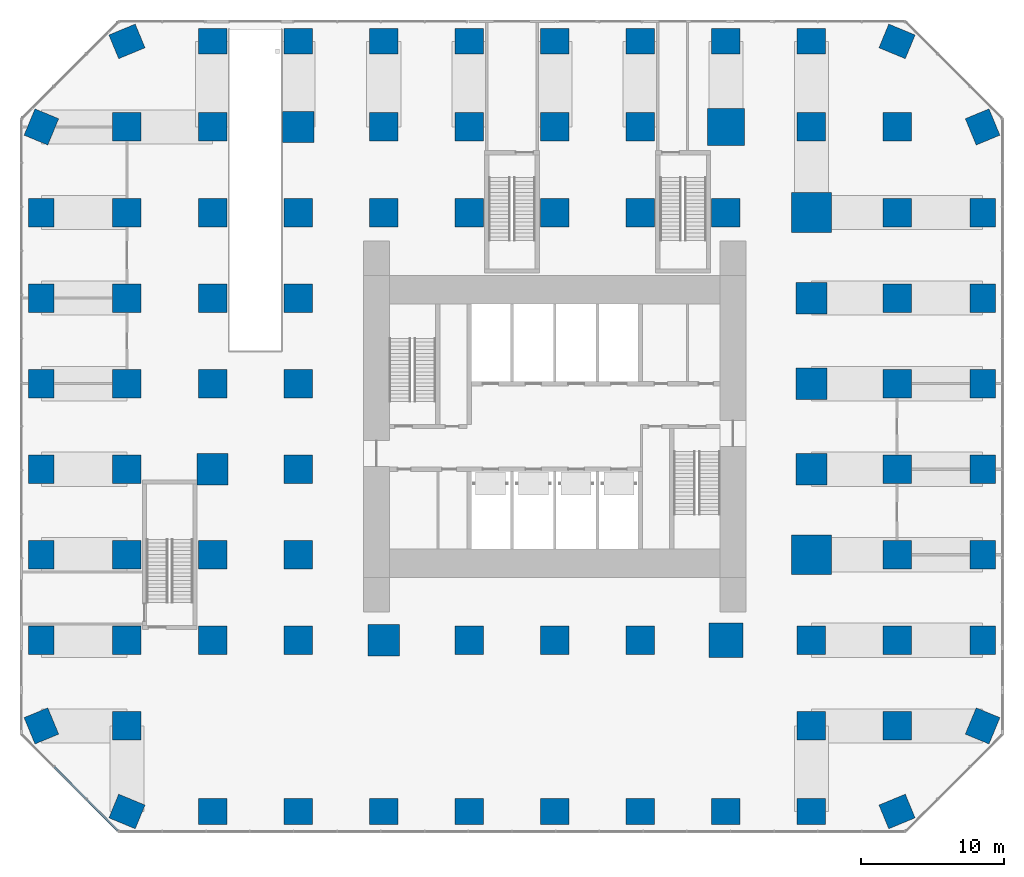
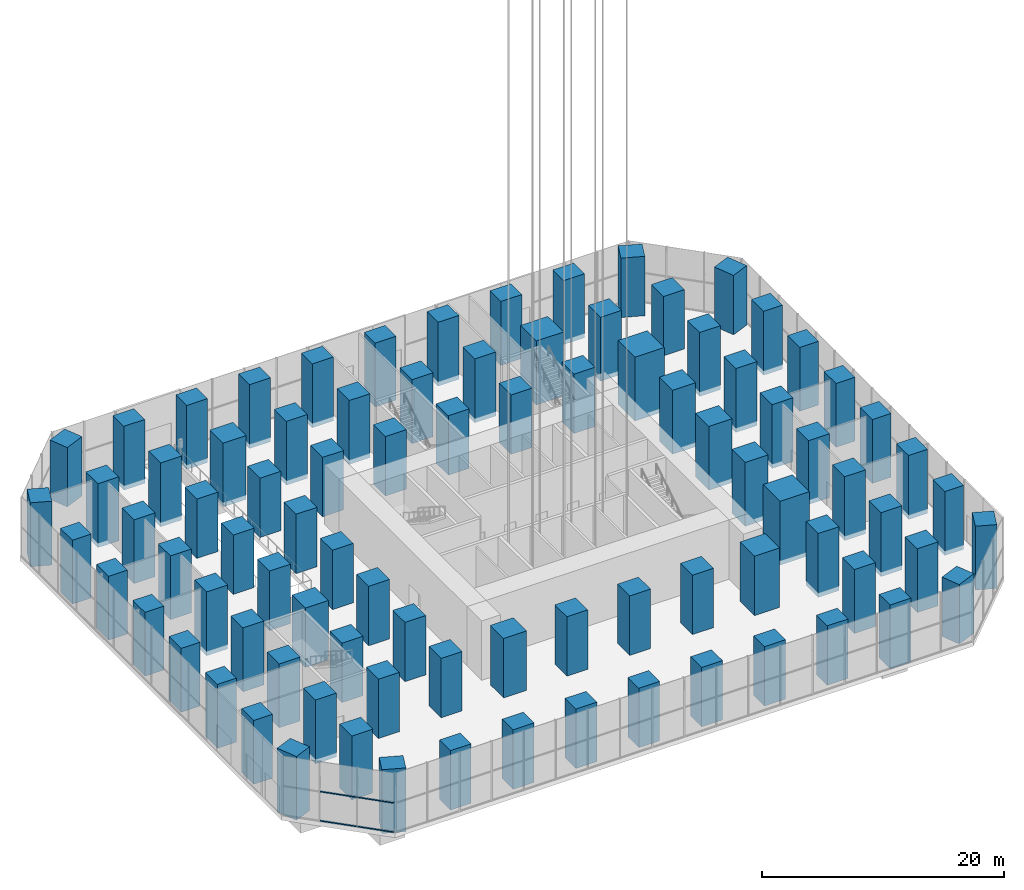
# One storey, part 1 of 21: 89 columns, 4 members, 1 element without a shape of its own.
"""IFC4 building model written with IfcOpenShell, lengths in metres."""

from ifc_helpers import new_model, si_unit, direction, frame, origin, origin_2d, place, context, subcontext, project, spatial, rectangle, extrude, material, layer, layer_set, material_profile, profile_set, type_object, element, aggregate, save


model = new_model("IFC4")

# Units and contexts
model_context = context("Model", 3, precision=1e-05, world=origin(), true_north=direction((0.0, 1.0)))
body_context = subcontext(model_context, "Body", "Model", "MODEL_VIEW")
ifc_project = project(units=[si_unit("LENGTHUNIT", "METRE"), si_unit("AREAUNIT", "SQUARE_METRE"), si_unit("VOLUMEUNIT", "CUBIC_METRE"), si_unit("PLANEANGLEUNIT", "RADIAN"), si_unit("MASSUNIT", "GRAM", prefix="KILO")], contexts=[model_context])

# Site, building, storey
site_placement = place(None, origin())
site = spatial("IfcSite", under=ifc_project, at=site_placement, CompositionType="ELEMENT")
building_placement = place(site_placement, origin())
building = spatial("IfcBuilding", under=site, at=building_placement, Name="Highveld Stack Headquarters", CompositionType="ELEMENT")
storey_placement = place(building_placement, origin())
storey = spatial("IfcBuildingStorey", under=building, at=storey_placement, Name="L00", CompositionType="ELEMENT", Elevation=0.0)

# Columns
ifc_material_1 = material(Name="Concrete C60/75", Category="concrete")
ifc_material_profile_1 = material_profile(ifc_material_1, rectangle(XDim=2.0, YDim=1.800048828125, at=origin_2d()), Name="RC 2000x1800")
ifc_profile_set_1 = profile_set([ifc_material_profile_1], Name="Concrete C60/75")
column_type_1 = type_object("IfcColumnType", Name="COLUMN RC 2000x1800 C60/75", PredefinedType="COLUMN", material=ifc_profile_set_1)
for number, where, z_axis, x_axis, name in (
    (1, (-30.0, -18.0, -0.449951171875), (0.0, 0.0, 1.0), (-0.382683432365, 0.923879532511, 0.0), "Column 1/B L00"),
    (2, (-30.0, -12.0, -0.449951171875), (0.0, 0.0, 1.0), (0.0, 1.0, 0.0), "Column 1/C L00"),
    (3, (-30.0, -6.0, -0.449951171875), (0.0, 0.0, 1.0), (0.0, 1.0, 0.0), "Column 1/D L00"),
    (4, (-30.0, 0.0, -0.449951171875), (0.0, 0.0, 1.0), (0.0, 1.0, 0.0), "Column 1/E L00"),
    (5, (-30.0, 6.0, -0.449951171875), (0.0, 0.0, 1.0), (0.0, 1.0, 0.0), "Column 1/F L00"),
    (6, (-30.0, 12.0, -0.449951171875), (0.0, 0.0, 1.0), (0.0, 1.0, 0.0), "Column 1/G L00"),
    (7, (-30.0, 18.0, -0.449951171875), (0.0, 0.0, 1.0), (0.0, 1.0, 0.0), "Column 1/H L00"),
    (8, (-30.0, 24.0, -0.449951171875), (0.0, 0.0, 1.0), (0.382683432365, 0.923879532511, 0.0), "Column 1/J L00"),
    (9, (-24.0, -24.0, -0.449951171875), (0.0, 0.0, 1.0), (-0.923879532511, 0.382683432365, 0.0), "Column 2/A L00"),
):
    element("IfcColumn", number, at=place(storey_placement, frame(where, z_axis=z_axis, x_axis=x_axis)), inside=storey, type_object=column_type_1, Name=name, PredefinedType="COLUMN", context=body_context, shape_type="SweptSolid", body=[
        extrude(rectangle(XDim=2.0, YDim=1.800048828125, at=origin_2d()), origin(), (0.0, 0.0, 1.0), 6.449951171875),
    ])
for number, where, z_axis, x_axis, name in (
    (10, (-24.0, 30.0, 0.0), (0.0, 0.0, 1.0), (0.923879532511, 0.382683432365, 0.0), "Column 2/K L00"),
    (11, (-18.0, -24.0, 0.0), (0.0, 0.0, 1.0), (1.0, 0.0, 0.0), "Column 3/A L00"),
):
    element("IfcColumn", number, at=place(storey_placement, frame(where, z_axis=z_axis, x_axis=x_axis)), inside=storey, type_object=column_type_1, Name=name, PredefinedType="COLUMN", context=body_context, shape_type="SweptSolid", body=[
        extrude(rectangle(XDim=2.0, YDim=1.800048828125, at=origin_2d()), origin(), (0.0, 0.0, 1.0), 6.0),
    ])
column_1_placement = place(storey_placement, frame((-18.0, 30.0, -0.449951171875), z_axis=(0.0, 0.0, 1.0), x_axis=(1.0, 0.0, 0.0)))
element("IfcColumn", 12, at=column_1_placement, inside=storey, type_object=column_type_1, Name="Column 3/K L00", PredefinedType="COLUMN", context=body_context, shape_type="SweptSolid", body=[
    extrude(rectangle(XDim=2.0, YDim=1.800048828125, at=origin_2d()), origin(), (0.0, 0.0, 1.0), 6.449951171875),
])
column_2_placement = place(storey_placement, frame((-12.0, -24.0, 0.0), z_axis=(0.0, 0.0, 1.0), x_axis=(1.0, 0.0, 0.0)))
element("IfcColumn", 13, at=column_2_placement, inside=storey, type_object=column_type_1, Name="Column 4/A L00", PredefinedType="COLUMN", context=body_context, shape_type="SweptSolid", body=[
    extrude(rectangle(XDim=2.0, YDim=1.800048828125, at=origin_2d()), origin(), (0.0, 0.0, 1.0), 6.0),
])
column_3_placement = place(storey_placement, frame((-12.0, 30.0, -0.449951171875), z_axis=(0.0, 0.0, 1.0), x_axis=(1.0, 0.0, 0.0)))
element("IfcColumn", 14, at=column_3_placement, inside=storey, type_object=column_type_1, Name="Column 4/K L00", PredefinedType="COLUMN", context=body_context, shape_type="SweptSolid", body=[
    extrude(rectangle(XDim=2.0, YDim=1.800048828125, at=origin_2d()), origin(), (0.0, 0.0, 1.0), 6.449951171875),
])
column_4_placement = place(storey_placement, frame((-6.0, -24.0, 0.0), z_axis=(0.0, 0.0, 1.0), x_axis=(1.0, 0.0, 0.0)))
element("IfcColumn", 15, at=column_4_placement, inside=storey, type_object=column_type_1, Name="Column 5/A L00", PredefinedType="COLUMN", context=body_context, shape_type="SweptSolid", body=[
    extrude(rectangle(XDim=2.0, YDim=1.800048828125, at=origin_2d()), origin(), (0.0, 0.0, 1.0), 6.0),
])
column_5_placement = place(storey_placement, frame((-6.0, 30.0, -0.449951171875), z_axis=(0.0, 0.0, 1.0), x_axis=(1.0, 0.0, 0.0)))
element("IfcColumn", 16, at=column_5_placement, inside=storey, type_object=column_type_1, Name="Column 5/K L00", PredefinedType="COLUMN", context=body_context, shape_type="SweptSolid", body=[
    extrude(rectangle(XDim=2.0, YDim=1.800048828125, at=origin_2d()), origin(), (0.0, 0.0, 1.0), 6.449951171875),
])
column_6_placement = place(storey_placement, frame((0.0, -24.0, 0.0), z_axis=(0.0, 0.0, 1.0), x_axis=(1.0, 0.0, 0.0)))
element("IfcColumn", 17, at=column_6_placement, inside=storey, type_object=column_type_1, Name="Column 6/A L00", PredefinedType="COLUMN", context=body_context, shape_type="SweptSolid", body=[
    extrude(rectangle(XDim=2.0, YDim=1.800048828125, at=origin_2d()), origin(), (0.0, 0.0, 1.0), 6.0),
])
column_7_placement = place(storey_placement, frame((0.0, 30.0, -0.449951171875), z_axis=(0.0, 0.0, 1.0), x_axis=(1.0, 0.0, 0.0)))
element("IfcColumn", 18, at=column_7_placement, inside=storey, type_object=column_type_1, Name="Column 6/K L00", PredefinedType="COLUMN", context=body_context, shape_type="SweptSolid", body=[
    extrude(rectangle(XDim=2.0, YDim=1.800048828125, at=origin_2d()), origin(), (0.0, 0.0, 1.0), 6.449951171875),
])
column_8_placement = place(storey_placement, frame((6.0, -24.0, 0.0), z_axis=(0.0, 0.0, 1.0), x_axis=(1.0, 0.0, 0.0)))
element("IfcColumn", 19, at=column_8_placement, inside=storey, type_object=column_type_1, Name="Column 7/A L00", PredefinedType="COLUMN", context=body_context, shape_type="SweptSolid", body=[
    extrude(rectangle(XDim=2.0, YDim=1.800048828125, at=origin_2d()), origin(), (0.0, 0.0, 1.0), 6.0),
])
column_9_placement = place(storey_placement, frame((6.0, 30.0, -0.449951171875), z_axis=(0.0, 0.0, 1.0), x_axis=(1.0, 0.0, 0.0)))
element("IfcColumn", 20, at=column_9_placement, inside=storey, type_object=column_type_1, Name="Column 7/K L00", PredefinedType="COLUMN", context=body_context, shape_type="SweptSolid", body=[
    extrude(rectangle(XDim=2.0, YDim=1.800048828125, at=origin_2d()), origin(), (0.0, 0.0, 1.0), 6.449951171875),
])
column_10_placement = place(storey_placement, frame((12.0, -24.0, 0.0), z_axis=(0.0, 0.0, 1.0), x_axis=(1.0, 0.0, 0.0)))
element("IfcColumn", 21, at=column_10_placement, inside=storey, type_object=column_type_1, Name="Column 8/A L00", PredefinedType="COLUMN", context=body_context, shape_type="SweptSolid", body=[
    extrude(rectangle(XDim=2.0, YDim=1.800048828125, at=origin_2d()), origin(), (0.0, 0.0, 1.0), 6.0),
])
column_11_placement = place(storey_placement, frame((12.0, 30.0, -0.449951171875), z_axis=(0.0, 0.0, 1.0), x_axis=(1.0, 0.0, 0.0)))
element("IfcColumn", 22, at=column_11_placement, inside=storey, type_object=column_type_1, Name="Column 8/K L00", PredefinedType="COLUMN", context=body_context, shape_type="SweptSolid", body=[
    extrude(rectangle(XDim=2.0, YDim=1.800048828125, at=origin_2d()), origin(), (0.0, 0.0, 1.0), 6.449951171875),
])
column_12_placement = place(storey_placement, frame((18.0, -24.0, 0.0), z_axis=(0.0, 0.0, 1.0), x_axis=(1.0, 0.0, 0.0)))
element("IfcColumn", 23, at=column_12_placement, inside=storey, type_object=column_type_1, Name="Column 9/A L00", PredefinedType="COLUMN", context=body_context, shape_type="SweptSolid", body=[
    extrude(rectangle(XDim=2.0, YDim=1.800048828125, at=origin_2d()), origin(), (0.0, 0.0, 1.0), 6.0),
])
for number, where, z_axis, x_axis, name in (
    (24, (18.0, 30.0, -0.449951171875), (0.0, 0.0, 1.0), (1.0, 0.0, 0.0), "Column 9/K L00"),
    (25, (24.0, -24.0, -0.449951171875), (0.0, 0.0, 1.0), (1.0, 0.0, 0.0), "Column 10/A L00"),
    (26, (24.0, 30.0, -0.449951171875), (0.0, 0.0, 1.0), (1.0, 0.0, 0.0), "Column 10/K L00"),
):
    element("IfcColumn", number, at=place(storey_placement, frame(where, z_axis=z_axis, x_axis=x_axis)), inside=storey, type_object=column_type_1, Name=name, PredefinedType="COLUMN", context=body_context, shape_type="SweptSolid", body=[
        extrude(rectangle(XDim=2.0, YDim=1.800048828125, at=origin_2d()), origin(), (0.0, 0.0, 1.0), 6.449951171875),
    ])
for number, where, z_axis, x_axis, name in (
    (27, (30.0, -24.0, 0.0), (0.0, 0.0, 1.0), (-0.923879532511, -0.382683432365, 0.0), "Column 11/A L00"),
    (28, (30.0, 30.0, 0.0), (0.0, 0.0, 1.0), (0.923879532511, -0.382683432365, 0.0), "Column 11/K L00"),
):
    element("IfcColumn", number, at=place(storey_placement, frame(where, z_axis=z_axis, x_axis=x_axis)), inside=storey, type_object=column_type_1, Name=name, PredefinedType="COLUMN", context=body_context, shape_type="SweptSolid", body=[
        extrude(rectangle(XDim=2.0, YDim=1.800048828125, at=origin_2d()), origin(), (0.0, 0.0, 1.0), 6.0),
    ])
for number, where, z_axis, x_axis, name in (
    (29, (36.0, -18.0, -0.449951171875), (0.0, 0.0, 1.0), (-0.382683432365, -0.923879532511, 0.0), "Column 12/B L00"),
    (30, (36.0, -12.0, -0.449951171875), (0.0, 0.0, 1.0), (0.0, 1.0, 0.0), "Column 12/C L00"),
    (31, (36.0, -6.0, -0.449951171875), (0.0, 0.0, 1.0), (0.0, 1.0, 0.0), "Column 12/D L00"),
    (32, (36.0, 0.0, -0.449951171875), (0.0, 0.0, 1.0), (0.0, 1.0, 0.0), "Column 12/E L00"),
    (33, (36.0, 6.0, -0.449951171875), (0.0, 0.0, 1.0), (0.0, 1.0, 0.0), "Column 12/F L00"),
    (34, (36.0, 12.0, -0.449951171875), (0.0, 0.0, 1.0), (0.0, 1.0, 0.0), "Column 12/G L00"),
    (35, (36.0, 18.0, -0.449951171875), (0.0, 0.0, 1.0), (0.0, 1.0, 0.0), "Column 12/H L00"),
):
    element("IfcColumn", number, at=place(storey_placement, frame(where, z_axis=z_axis, x_axis=x_axis)), inside=storey, type_object=column_type_1, Name=name, PredefinedType="COLUMN", context=body_context, shape_type="SweptSolid", body=[
        extrude(rectangle(XDim=2.0, YDim=1.800048828125, at=origin_2d()), origin(), (0.0, 0.0, 1.0), 6.449951171875),
    ])
column_13_placement = place(storey_placement, frame((36.0, 24.0, 0.0), z_axis=(0.0, 0.0, 1.0), x_axis=(0.382683432365, -0.923879532511, 0.0)))
element("IfcColumn", 36, at=column_13_placement, inside=storey, type_object=column_type_1, Name="Column 12/J L00", PredefinedType="COLUMN", context=body_context, shape_type="SweptSolid", body=[
    extrude(rectangle(XDim=2.0, YDim=1.800048828125, at=origin_2d()), origin(), (0.0, 0.0, 1.0), 6.0),
])
ifc_material_2 = material(Name="Concrete C60/75", Category="concrete")
ifc_material_profile_2 = material_profile(ifc_material_2, rectangle(XDim=2.0, YDim=2.0, at=origin_2d()), Name="RC 2000x2000")
ifc_profile_set_2 = profile_set([ifc_material_profile_2], Name="Concrete C60/75")
column_type_2 = type_object("IfcColumnType", Name="COLUMN RC 2000x2000 C60/75", PredefinedType="COLUMN", material=ifc_profile_set_2)
for number, where, z_axis, x_axis, name in (
    (37, (-24.0, -18.0, -0.449951171875), (0.0, 0.0, 1.0), (1.0, 0.0, 0.0), "Column 2/B L00"),
    (38, (-24.0, -12.0, -0.449951171875), (0.0, 0.0, 1.0), (1.0, 0.0, 0.0), "Column 2/C L00"),
    (39, (-24.0, -6.0, -0.449951171875), (0.0, 0.0, 1.0), (1.0, 0.0, 0.0), "Column 2/D L00"),
    (40, (-24.0, 0.0, -0.449951171875), (0.0, 0.0, 1.0), (1.0, 0.0, 0.0), "Column 2/E L00"),
    (41, (-24.0, 6.0, -0.449951171875), (0.0, 0.0, 1.0), (1.0, 0.0, 0.0), "Column 2/F L00"),
    (42, (-24.0, 12.0, -0.449951171875), (0.0, 0.0, 1.0), (1.0, 0.0, 0.0), "Column 2/G L00"),
    (43, (-24.0, 18.0, -0.449951171875), (0.0, 0.0, 1.0), (1.0, 0.0, 0.0), "Column 2/H L00"),
    (44, (-24.0, 24.0, -0.449951171875), (0.0, 0.0, 1.0), (1.0, 0.0, 0.0), "Column 2/J L00"),
):
    element("IfcColumn", number, at=place(storey_placement, frame(where, z_axis=z_axis, x_axis=x_axis)), inside=storey, type_object=column_type_2, Name=name, PredefinedType="COLUMN", context=body_context, shape_type="SweptSolid", body=[
        extrude(rectangle(XDim=2.0, YDim=2.0, at=origin_2d()), origin(), (0.0, 0.0, 1.0), 6.449951171875),
    ])
for number, where, z_axis, x_axis, name in (
    (45, (-18.0, -12.0, 0.0), (0.0, 0.0, 1.0), (1.0, 0.0, 0.0), "Column 3/C L00"),
    (46, (-18.0, -6.0, 0.0), (0.0, 0.0, 1.0), (1.0, 0.0, 0.0), "Column 3/D L00"),
    (47, (-18.0, 6.0, 0.0), (0.0, 0.0, 1.0), (1.0, 0.0, 0.0), "Column 3/F L00"),
    (48, (-18.0, 12.0, 0.0), (0.0, 0.0, 1.0), (1.0, 0.0, 0.0), "Column 3/G L00"),
    (49, (-18.0, 18.0, 0.0), (0.0, 0.0, 1.0), (1.0, 0.0, 0.0), "Column 3/H L00"),
):
    element("IfcColumn", number, at=place(storey_placement, frame(where, z_axis=z_axis, x_axis=x_axis)), inside=storey, type_object=column_type_2, Name=name, PredefinedType="COLUMN", context=body_context, shape_type="SweptSolid", body=[
        extrude(rectangle(XDim=2.0, YDim=2.0, at=origin_2d()), origin(), (0.0, 0.0, 1.0), 6.0),
    ])
column_14_placement = place(storey_placement, frame((-18.0, 24.0, -0.449951171875), z_axis=(0.0, 0.0, 1.0), x_axis=(1.0, 0.0, 0.0)))
element("IfcColumn", 50, at=column_14_placement, inside=storey, type_object=column_type_2, Name="Column 3/J L00", PredefinedType="COLUMN", context=body_context, shape_type="SweptSolid", body=[
    extrude(rectangle(XDim=2.0, YDim=2.0, at=origin_2d()), origin(), (0.0, 0.0, 1.0), 6.449951171875),
])
for number, where, z_axis, x_axis, name in (
    (51, (-12.0, -12.0, 0.0), (0.0, 0.0, 1.0), (1.0, 0.0, 0.0), "Column 4/C L00"),
    (52, (-12.0, -6.0, 0.0), (0.0, 0.0, 1.0), (1.0, 0.0, 0.0), "Column 4/D L00"),
    (53, (-12.0, 0.0, 0.0), (0.0, 0.0, 1.0), (1.0, 0.0, 0.0), "Column 4/E L00"),
    (54, (-12.0, 6.0, 0.0), (0.0, 0.0, 1.0), (1.0, 0.0, 0.0), "Column 4/F L00"),
    (55, (-12.0, 12.0, 0.0), (0.0, 0.0, 1.0), (1.0, 0.0, 0.0), "Column 4/G L00"),
    (56, (-12.0, 18.0, 0.0), (0.0, 0.0, 1.0), (1.0, 0.0, 0.0), "Column 4/H L00"),
    (57, (-6.0, 18.0, 0.0), (0.0, 0.0, 1.0), (1.0, 0.0, 0.0), "Column 5/H L00"),
):
    element("IfcColumn", number, at=place(storey_placement, frame(where, z_axis=z_axis, x_axis=x_axis)), inside=storey, type_object=column_type_2, Name=name, PredefinedType="COLUMN", context=body_context, shape_type="SweptSolid", body=[
        extrude(rectangle(XDim=2.0, YDim=2.0, at=origin_2d()), origin(), (0.0, 0.0, 1.0), 6.0),
    ])
column_15_placement = place(storey_placement, frame((-6.0, 24.0, -0.449951171875), z_axis=(0.0, 0.0, 1.0), x_axis=(1.0, 0.0, 0.0)))
element("IfcColumn", 58, at=column_15_placement, inside=storey, type_object=column_type_2, Name="Column 5/J L00", PredefinedType="COLUMN", context=body_context, shape_type="SweptSolid", body=[
    extrude(rectangle(XDim=2.0, YDim=2.0, at=origin_2d()), origin(), (0.0, 0.0, 1.0), 6.449951171875),
])
for number, where, z_axis, x_axis, name in (
    (59, (0.0, -12.0, 0.0), (0.0, 0.0, 1.0), (1.0, 0.0, 0.0), "Column 6/C L00"),
    (60, (0.0, 18.0, 0.0), (0.0, 0.0, 1.0), (1.0, 0.0, 0.0), "Column 6/H L00"),
):
    element("IfcColumn", number, at=place(storey_placement, frame(where, z_axis=z_axis, x_axis=x_axis)), inside=storey, type_object=column_type_2, Name=name, PredefinedType="COLUMN", context=body_context, shape_type="SweptSolid", body=[
        extrude(rectangle(XDim=2.0, YDim=2.0, at=origin_2d()), origin(), (0.0, 0.0, 1.0), 6.0),
    ])
column_16_placement = place(storey_placement, frame((0.0, 24.0, -0.449951171875), z_axis=(0.0, 0.0, 1.0), x_axis=(1.0, 0.0, 0.0)))
element("IfcColumn", 61, at=column_16_placement, inside=storey, type_object=column_type_2, Name="Column 6/J L00", PredefinedType="COLUMN", context=body_context, shape_type="SweptSolid", body=[
    extrude(rectangle(XDim=2.0, YDim=2.0, at=origin_2d()), origin(), (0.0, 0.0, 1.0), 6.449951171875),
])
for number, where, z_axis, x_axis, name in (
    (62, (6.0, -12.0, 0.0), (0.0, 0.0, 1.0), (1.0, 0.0, 0.0), "Column 7/C L00"),
    (63, (6.0, 18.0, 0.0), (0.0, 0.0, 1.0), (1.0, 0.0, 0.0), "Column 7/H L00"),
):
    element("IfcColumn", number, at=place(storey_placement, frame(where, z_axis=z_axis, x_axis=x_axis)), inside=storey, type_object=column_type_2, Name=name, PredefinedType="COLUMN", context=body_context, shape_type="SweptSolid", body=[
        extrude(rectangle(XDim=2.0, YDim=2.0, at=origin_2d()), origin(), (0.0, 0.0, 1.0), 6.0),
    ])
column_17_placement = place(storey_placement, frame((6.0, 24.0, -0.449951171875), z_axis=(0.0, 0.0, 1.0), x_axis=(1.0, 0.0, 0.0)))
element("IfcColumn", 64, at=column_17_placement, inside=storey, type_object=column_type_2, Name="Column 7/J L00", PredefinedType="COLUMN", context=body_context, shape_type="SweptSolid", body=[
    extrude(rectangle(XDim=2.0, YDim=2.0, at=origin_2d()), origin(), (0.0, 0.0, 1.0), 6.449951171875),
])
for number, where, z_axis, x_axis, name in (
    (65, (12.0, -12.0, 0.0), (0.0, 0.0, 1.0), (1.0, 0.0, 0.0), "Column 8/C L00"),
    (66, (12.0, 18.0, 0.0), (0.0, 0.0, 1.0), (1.0, 0.0, 0.0), "Column 8/H L00"),
):
    element("IfcColumn", number, at=place(storey_placement, frame(where, z_axis=z_axis, x_axis=x_axis)), inside=storey, type_object=column_type_2, Name=name, PredefinedType="COLUMN", context=body_context, shape_type="SweptSolid", body=[
        extrude(rectangle(XDim=2.0, YDim=2.0, at=origin_2d()), origin(), (0.0, 0.0, 1.0), 6.0),
    ])
column_18_placement = place(storey_placement, frame((12.0, 24.0, -0.449951171875), z_axis=(0.0, 0.0, 1.0), x_axis=(1.0, 0.0, 0.0)))
element("IfcColumn", 67, at=column_18_placement, inside=storey, type_object=column_type_2, Name="Column 8/J L00", PredefinedType="COLUMN", context=body_context, shape_type="SweptSolid", body=[
    extrude(rectangle(XDim=2.0, YDim=2.0, at=origin_2d()), origin(), (0.0, 0.0, 1.0), 6.449951171875),
])
column_19_placement = place(storey_placement, frame((18.0, 18.0, 0.0), z_axis=(0.0, 0.0, 1.0), x_axis=(1.0, 0.0, 0.0)))
element("IfcColumn", 68, at=column_19_placement, inside=storey, type_object=column_type_2, Name="Column 9/H L00", PredefinedType="COLUMN", context=body_context, shape_type="SweptSolid", body=[
    extrude(rectangle(XDim=2.0, YDim=2.0, at=origin_2d()), origin(), (0.0, 0.0, 1.0), 6.0),
])
for number, where, z_axis, x_axis, name in (
    (69, (24.0, -18.0, -0.449951171875), (0.0, 0.0, 1.0), (1.0, 0.0, 0.0), "Column 10/B L00"),
    (70, (24.0, -12.0, -0.449951171875), (0.0, 0.0, 1.0), (1.0, 0.0, 0.0), "Column 10/C L00"),
    (71, (24.0, 24.0, -0.449951171875), (0.0, 0.0, 1.0), (1.0, 0.0, 0.0), "Column 10/J L00"),
    (72, (30.0, -18.0, -0.449951171875), (0.0, 0.0, 1.0), (1.0, 0.0, 0.0), "Column 11/B L00"),
    (73, (30.0, -12.0, -0.449951171875), (0.0, 0.0, 1.0), (1.0, 0.0, 0.0), "Column 11/C L00"),
    (74, (30.0, -6.0, -0.449951171875), (0.0, 0.0, 1.0), (1.0, 0.0, 0.0), "Column 11/D L00"),
    (75, (30.0, 0.0, -0.449951171875), (0.0, 0.0, 1.0), (1.0, 0.0, 0.0), "Column 11/E L00"),
    (76, (30.0, 6.0, -0.449951171875), (0.0, 0.0, 1.0), (1.0, 0.0, 0.0), "Column 11/F L00"),
    (77, (30.0, 12.0, -0.449951171875), (0.0, 0.0, 1.0), (1.0, 0.0, 0.0), "Column 11/G L00"),
    (78, (30.0, 18.0, -0.449951171875), (0.0, 0.0, 1.0), (1.0, 0.0, 0.0), "Column 11/H L00"),
):
    element("IfcColumn", number, at=place(storey_placement, frame(where, z_axis=z_axis, x_axis=x_axis)), inside=storey, type_object=column_type_2, Name=name, PredefinedType="COLUMN", context=body_context, shape_type="SweptSolid", body=[
        extrude(rectangle(XDim=2.0, YDim=2.0, at=origin_2d()), origin(), (0.0, 0.0, 1.0), 6.449951171875),
    ])
column_20_placement = place(storey_placement, frame((30.0, 24.0, 0.0), z_axis=(0.0, 0.0, 1.0), x_axis=(1.0, 0.0, 0.0)))
element("IfcColumn", 79, at=column_20_placement, inside=storey, type_object=column_type_2, Name="Column 11/J L00", PredefinedType="COLUMN", context=body_context, shape_type="SweptSolid", body=[
    extrude(rectangle(XDim=2.0, YDim=2.0, at=origin_2d()), origin(), (0.0, 0.0, 1.0), 6.0),
])
ifc_material_3 = material(Name="Concrete C60/75", Category="concrete")
ifc_material_profile_3 = material_profile(ifc_material_3, rectangle(XDim=2.199951171875, YDim=2.199951171875, at=origin_2d()), Name="RC 2200x2200")
ifc_profile_set_3 = profile_set([ifc_material_profile_3], Name="Concrete C60/75")
column_type_3 = type_object("IfcColumnType", Name="COLUMN RC 2200x2200 C60/75", PredefinedType="COLUMN", material=ifc_profile_set_3)
column_21_placement = place(storey_placement, frame((-18.0, 0.0, 0.0), z_axis=(0.0, 0.0, 1.0), x_axis=(1.0, 0.0, 0.0)))
element("IfcColumn", 80, at=column_21_placement, inside=storey, type_object=column_type_3, Name="Column 3/E L00", PredefinedType="COLUMN", context=body_context, shape_type="SweptSolid", body=[
    extrude(rectangle(XDim=2.199951171875, YDim=2.199951171875, at=origin_2d()), origin(), (0.0, 0.0, 1.0), 6.0),
])
column_22_placement = place(storey_placement, frame((-12.0, 24.0, -0.449951171875), z_axis=(0.0, 0.0, 1.0), x_axis=(1.0, 0.0, 0.0)))
element("IfcColumn", 81, at=column_22_placement, inside=storey, type_object=column_type_3, Name="Column 4/J L00", PredefinedType="COLUMN", context=body_context, shape_type="SweptSolid", body=[
    extrude(rectangle(XDim=2.199951171875, YDim=2.199951171875, at=origin_2d()), origin(), (0.0, 0.0, 1.0), 6.449951171875),
])
column_23_placement = place(storey_placement, frame((-6.0, -12.0, 0.0), z_axis=(0.0, 0.0, 1.0), x_axis=(1.0, 0.0, 0.0)))
element("IfcColumn", 82, at=column_23_placement, inside=storey, type_object=column_type_3, Name="Column 5/C L00", PredefinedType="COLUMN", context=body_context, shape_type="SweptSolid", body=[
    extrude(rectangle(XDim=2.199951171875, YDim=2.199951171875, at=origin_2d()), origin(), (0.0, 0.0, 1.0), 6.0),
])
for number, where, z_axis, x_axis, name in (
    (83, (24.0, 0.0, -0.449951171875), (0.0, 0.0, 1.0), (1.0, 0.0, 0.0), "Column 10/E L00"),
    (84, (24.0, 6.0, -0.449951171875), (0.0, 0.0, 1.0), (1.0, 0.0, 0.0), "Column 10/F L00"),
    (85, (24.0, 12.0, -0.449951171875), (0.0, 0.0, 1.0), (1.0, 0.0, 0.0), "Column 10/G L00"),
):
    element("IfcColumn", number, at=place(storey_placement, frame(where, z_axis=z_axis, x_axis=x_axis)), inside=storey, type_object=column_type_3, Name=name, PredefinedType="COLUMN", context=body_context, shape_type="SweptSolid", body=[
        extrude(rectangle(XDim=2.199951171875, YDim=2.199951171875, at=origin_2d()), origin(), (0.0, 0.0, 1.0), 6.449951171875),
    ])
ifc_material_4 = material(Name="Concrete C60/75", Category="concrete")
ifc_material_profile_4 = material_profile(ifc_material_4, rectangle(XDim=2.39990234375, YDim=2.39990234375, at=origin_2d()), Name="RC 2400x2400")
ifc_profile_set_4 = profile_set([ifc_material_profile_4], Name="Concrete C60/75")
column_type_4 = type_object("IfcColumnType", Name="COLUMN RC 2400x2400 C60/75", PredefinedType="COLUMN", material=ifc_profile_set_4)
column_24_placement = place(storey_placement, frame((18.0, -12.0, 0.0), z_axis=(0.0, 0.0, 1.0), x_axis=(1.0, 0.0, 0.0)))
element("IfcColumn", 86, at=column_24_placement, inside=storey, type_object=column_type_4, Name="Column 9/C L00", PredefinedType="COLUMN", context=body_context, shape_type="SweptSolid", body=[
    extrude(rectangle(XDim=2.39990234375, YDim=2.39990234375, at=origin_2d()), origin(), (0.0, 0.0, 1.0), 6.0),
])
ifc_material_5 = material(Name="Concrete C60/75", Category="concrete")
ifc_material_profile_5 = material_profile(ifc_material_5, rectangle(XDim=2.60009765625, YDim=2.60009765625, at=origin_2d()), Name="RC 2600x2600")
ifc_profile_set_5 = profile_set([ifc_material_profile_5], Name="Concrete C60/75")
column_type_5 = type_object("IfcColumnType", Name="COLUMN RC 2600x2600 C60/75", PredefinedType="COLUMN", material=ifc_profile_set_5)
column_25_placement = place(storey_placement, frame((18.0, 24.0, -0.449951171875), z_axis=(0.0, 0.0, 1.0), x_axis=(1.0, 0.0, 0.0)))
element("IfcColumn", 87, at=column_25_placement, inside=storey, type_object=column_type_5, Name="Column 9/J L00", PredefinedType="COLUMN", context=body_context, shape_type="SweptSolid", body=[
    extrude(rectangle(XDim=2.60009765625, YDim=2.60009765625, at=origin_2d()), origin(), (0.0, 0.0, 1.0), 6.449951171875),
])
ifc_material_6 = material(Name="Concrete C60/75", Category="concrete")
ifc_material_profile_6 = material_profile(ifc_material_6, rectangle(XDim=2.800048828125, YDim=2.800048828125, at=origin_2d()), Name="RC 2800x2800")
ifc_profile_set_6 = profile_set([ifc_material_profile_6], Name="Concrete C60/75")
column_type_6 = type_object("IfcColumnType", Name="COLUMN RC 2800x2800 C60/75", PredefinedType="COLUMN", material=ifc_profile_set_6)
for number, where, z_axis, x_axis, name in (
    (88, (24.0, -6.0, -0.449951171875), (0.0, 0.0, 1.0), (1.0, 0.0, 0.0), "Column 10/D L00"),
    (89, (24.0, 18.0, -0.449951171875), (0.0, 0.0, 1.0), (1.0, 0.0, 0.0), "Column 10/H L00"),
):
    element("IfcColumn", number, at=place(storey_placement, frame(where, z_axis=z_axis, x_axis=x_axis)), inside=storey, type_object=column_type_6, Name=name, PredefinedType="COLUMN", context=body_context, shape_type="SweptSolid", body=[
        extrude(rectangle(XDim=2.800048828125, YDim=2.800048828125, at=origin_2d()), origin(), (0.0, 0.0, 1.0), 6.449951171875),
    ])

# Curtain wall, members
ifc_material_7 = material(Name="Aluminium bronze anodised", Category="aluminium")
ifc_layer = layer(ifc_material_7, 0.199951171875)
ifc_layer_set = layer_set([ifc_layer], Name="Aluminium bronze anodised")
curtain_wall_type = type_object("IfcCurtainWallType", Name="CW3 PODIUM STICK CURTAIN WALL", PredefinedType="NOTDEFINED", material=ifc_layer_set)
curtain_wall_placement = place(storey_placement, origin())
curtain_wall = element("IfcCurtainWall", 90, at=curtain_wall_placement, inside=storey, type_object=curtain_wall_type, Name="Curtain wall CW3 L00 SW", PredefinedType="NOTDEFINED")
ifc_material_8 = material(Name="Aluminium bronze anodised", Category="aluminium")
ifc_material_profile_7 = material_profile(ifc_material_8, rectangle(XDim=0.14990234375, YDim=0.10009765625, at=origin_2d()), Name="CW3 TRANSOM 150x100")
ifc_profile_set_7 = profile_set([ifc_material_profile_7], Name="Aluminium bronze anodised")
member_type = type_object("IfcMemberType", Name="CW3 STACK TRANSOM 150x100", PredefinedType="USERDEFINED", material=ifc_profile_set_7)
member_1_placement = place(storey_placement, frame((-29.103759765625, -20.876220703125, 0.050048828125), z_axis=(0.707106781187, -0.707106781187, 0.0), x_axis=(0.707106781187, 0.707106781187, 0.0)))
member_1 = element("IfcMember", 91, at=member_1_placement, type_object=member_type, Name="CW3 transom L00 2.1", ObjectType="TRANSOM", PredefinedType="USERDEFINED", context=body_context, shape_type="SweptSolid", body=[
    extrude(rectangle(XDim=0.14990234375, YDim=0.10009765625, at=origin_2d()), origin(), (0.0, 0.0, 1.0), 3.150146484375),
])
member_2_placement = place(storey_placement, frame((-29.103759765625, -20.876220703125, 3.0), z_axis=(0.707106781187, -0.707106781187, 0.0), x_axis=(0.707106781187, 0.707106781187, 0.0)))
member_2 = element("IfcMember", 92, at=member_2_placement, type_object=member_type, Name="CW3 transom L00 2.2", ObjectType="TRANSOM", PredefinedType="USERDEFINED", context=body_context, shape_type="SweptSolid", body=[
    extrude(rectangle(XDim=0.14990234375, YDim=0.10009765625, at=origin_2d()), origin(), (0.0, 0.0, 1.0), 3.150146484375),
])
member_3_placement = place(storey_placement, frame((-26.830322265625, -23.149658203125, 0.050048828125), z_axis=(0.707106781187, -0.707106781187, 0.0), x_axis=(0.707106781187, 0.707106781187, 0.0)))
member_3 = element("IfcMember", 93, at=member_3_placement, type_object=member_type, Name="CW3 transom L00 3.1", ObjectType="TRANSOM", PredefinedType="USERDEFINED", context=body_context, shape_type="SweptSolid", body=[
    extrude(rectangle(XDim=0.14990234375, YDim=0.10009765625, at=origin_2d()), origin(), (0.0, 0.0, 1.0), 3.08251953125),
])
member_4_placement = place(storey_placement, frame((-26.830322265625, -23.149658203125, 3.0), z_axis=(0.707106781187, -0.707106781187, 0.0), x_axis=(0.707106781187, 0.707106781187, 0.0)))
member_4 = element("IfcMember", 94, at=member_4_placement, type_object=member_type, Name="CW3 transom L00 3.2", ObjectType="TRANSOM", PredefinedType="USERDEFINED", context=body_context, shape_type="SweptSolid", body=[
    extrude(rectangle(XDim=0.14990234375, YDim=0.10009765625, at=origin_2d()), origin(), (0.0, 0.0, 1.0), 3.08251953125),
])
aggregate(curtain_wall, [member_1, member_2, member_3, member_4])

save(model, "model.ifc")
